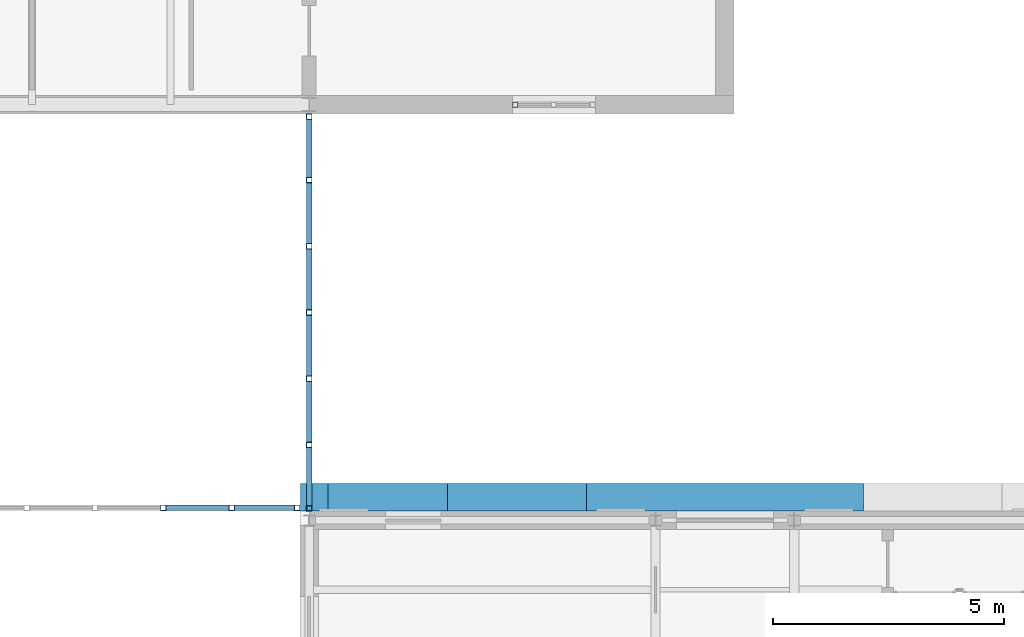
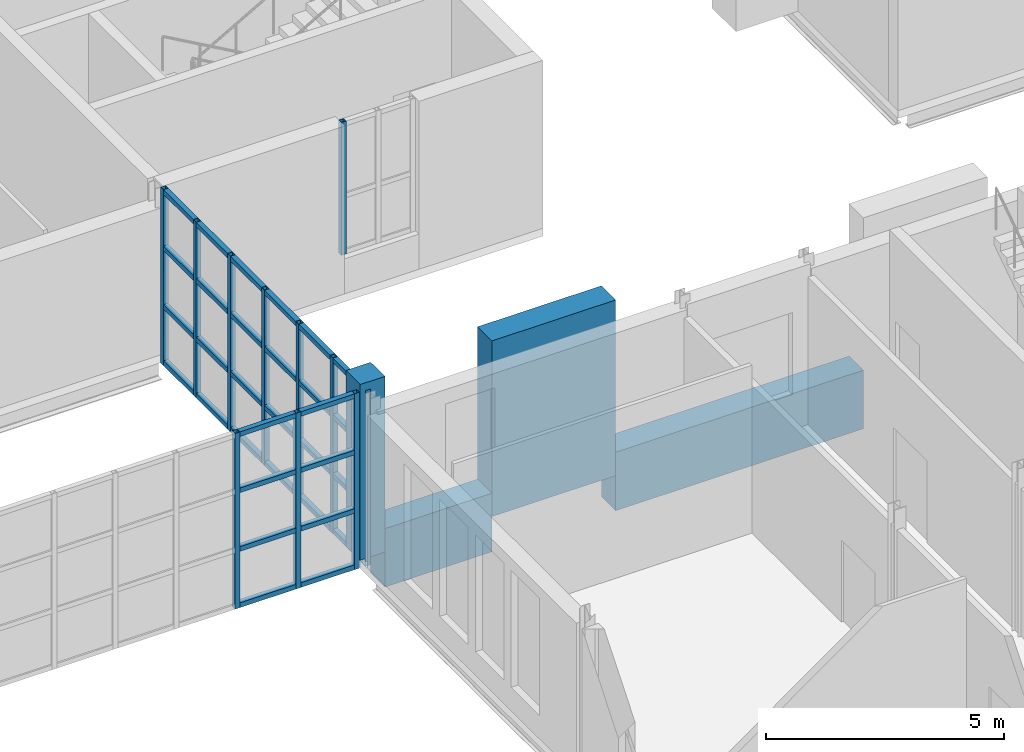
# One storey, part 50 of 131: 45 members, 2 beams, 3 elements without a shape of their own.
"""IFC4 building model written with IfcOpenShell, lengths in metres."""

from ifc_helpers import new_model, si_unit, direction, frame, origin, origin_2d, place, context, subcontext, project, spatial, rectangle, hollow_rectangle, extrude, material, material_profile, profile_set, type_object, element, aggregate, save


model = new_model("IFC4")

# Units and contexts
model_context = context("Model", 3, precision=1e-05, world=origin(), true_north=direction((0.0, 1.0)))
body_context = subcontext(model_context, "Body", "Model", "MODEL_VIEW")
ifc_project = project(units=[si_unit("LENGTHUNIT", "METRE"), si_unit("AREAUNIT", "SQUARE_METRE"), si_unit("VOLUMEUNIT", "CUBIC_METRE"), si_unit("PLANEANGLEUNIT", "RADIAN"), si_unit("MASSUNIT", "GRAM", prefix="KILO")], contexts=[model_context])

# Site, building, storey
site_placement = place(None, origin())
site = spatial("IfcSite", under=ifc_project, at=site_placement, CompositionType="ELEMENT")
building_placement = place(site_placement, origin())
building = spatial("IfcBuilding", under=site, at=building_placement, Name="Golden Quay Civic Hall", CompositionType="ELEMENT")
storey_placement = place(building_placement, frame((0.0, 0.0, 9.89990234375)))
storey = spatial("IfcBuildingStorey", under=building, at=storey_placement, Name="L02", CompositionType="ELEMENT", Elevation=9.89990234375)

# Curtain wall, members
ifc_material_1 = material(Name="Fire-resisting glass and steel", Category="steel")
curtain_wall_type_1 = type_object("IfcCurtainWallType", Name="Fire-resisting glazed curtain wall EI 120", PredefinedType="NOTDEFINED", material=ifc_material_1)
curtain_wall_1_placement = place(storey_placement, origin())
curtain_wall_1 = element("IfcCurtainWall", 1, at=curtain_wall_1_placement, inside=storey, type_object=curtain_wall_type_1, Name="CW3 curtain wall", PredefinedType="NOTDEFINED")
ifc_material_2 = material(Name="Steel S355", Category="steel")
ifc_material_profile_1 = material_profile(ifc_material_2, hollow_rectangle(XDim=0.1201171875, YDim=0.1201171875, WallThickness=0.008056640625, at=origin_2d()), Name="SHS 120x120x8")
ifc_profile_set_1 = profile_set([ifc_material_profile_1], Name="Steel S355")
member_type_1 = type_object("IfcMemberType", Name="Fire-resisting steel mullion SHS 120x120x8", PredefinedType="MULLION", material=ifc_profile_set_1)
member_1_placement = place(storey_placement, frame((95.844482421875, 54.27001953125, -0.199951171875), z_axis=(0.0, 0.0, 1.0), x_axis=(0.0, 1.0, 0.0)))
member_1 = element("IfcMember", 2, at=member_1_placement, type_object=member_type_1, Name="CW3 mullion 17", PredefinedType="MULLION", context=body_context, shape_type="SweptSolid", body=[
    extrude(hollow_rectangle(XDim=0.1201171875, YDim=0.1201171875, WallThickness=0.008056640625, at=origin_2d()), origin(), (0.0, 0.0, 1.0), 4.5),
])
member_2_placement = place(storey_placement, frame((97.322265625, 54.27001953125, -0.199951171875), z_axis=(0.0, 0.0, 1.0), x_axis=(0.0, 1.0, 0.0)))
member_2 = element("IfcMember", 3, at=member_2_placement, type_object=member_type_1, Name="CW3 mullion 18", PredefinedType="MULLION", context=body_context, shape_type="SweptSolid", body=[
    extrude(hollow_rectangle(XDim=0.1201171875, YDim=0.1201171875, WallThickness=0.008056640625, at=origin_2d()), origin(), (0.0, 0.0, 1.0), 4.5),
])
member_3_placement = place(storey_placement, frame((98.739990234375, 54.27001953125, -0.199951171875), z_axis=(0.0, 0.0, 1.0), x_axis=(0.0, 1.0, 0.0)))
member_3 = element("IfcMember", 4, at=member_3_placement, type_object=member_type_1, Name="CW3 mullion 19", PredefinedType="MULLION", context=body_context, shape_type="SweptSolid", body=[
    extrude(hollow_rectangle(XDim=0.1201171875, YDim=0.1201171875, WallThickness=0.008056640625, at=origin_2d()), origin(), (0.0, 0.0, 1.0), 4.5),
])

# Curtain wall, member
ifc_material_3 = material(Name="Fire-resisting glass and steel", Category="steel")
curtain_wall_type_2 = type_object("IfcCurtainWallType", Name="Fire-resisting glazed stair curtain wall EI 120", PredefinedType="NOTDEFINED", material=ifc_material_3)
curtain_wall_2_placement = place(storey_placement, origin())
curtain_wall_2 = element("IfcCurtainWall", 5, at=curtain_wall_2_placement, inside=storey, type_object=curtain_wall_type_2, Name="CW4 stair curtain wall", PredefinedType="NOTDEFINED")
ifc_material_4 = material(Name="Steel S355", Category="steel")
ifc_material_profile_2 = material_profile(ifc_material_4, hollow_rectangle(XDim=0.1201171875, YDim=0.1201171875, WallThickness=0.012451171875, at=origin_2d()), Name="SHS 120x120x12.5")
ifc_profile_set_2 = profile_set([ifc_material_profile_2], Name="Steel S355")
member_type_2 = type_object("IfcMemberType", Name="Fire-resisting steel stair mullion 120 x 120", PredefinedType="MULLION", material=ifc_profile_set_2)
member_4_placement = place(storey_placement, frame((103.4599609375, 63.0, 0.900146484375), z_axis=(0.0, 0.0, 1.0), x_axis=(0.0, 1.0, 0.0)))
member_4 = element("IfcMember", 6, at=member_4_placement, type_object=member_type_2, Name="CW4 mullion 1", PredefinedType="MULLION", context=body_context, shape_type="SweptSolid", body=[
    extrude(hollow_rectangle(XDim=0.1201171875, YDim=0.1201171875, WallThickness=0.012451171875, at=origin_2d()), origin(), (0.0, 0.0, 1.0), 3.39990234375),
])
aggregate(curtain_wall_2, [member_4])

# Member
ifc_material_5 = material(Name="Steel S355", Category="steel")
ifc_material_profile_3 = material_profile(ifc_material_5, hollow_rectangle(XDim=0.1201171875, YDim=0.1201171875, WallThickness=0.008056640625, at=origin_2d()), Name="SHS 120x120x8")
ifc_profile_set_3 = profile_set([ifc_material_profile_3], Name="Steel S355")
member_type_3 = type_object("IfcMemberType", Name="Fire-resisting steel transom SHS 120x120x8", PredefinedType="USERDEFINED", material=ifc_profile_set_3)
member_5_placement = place(storey_placement, frame((95.904541015625, 54.27001953125, -0.139892578125), z_axis=(1.0, 0.0, 0.0), x_axis=(0.0, 1.0, 0.0)))
member_5 = element("IfcMember", 7, at=member_5_placement, type_object=member_type_3, Name="CW3 transom 17.1", ObjectType="TRANSOM", PredefinedType="USERDEFINED", context=body_context, shape_type="SweptSolid", body=[
    extrude(hollow_rectangle(XDim=0.1201171875, YDim=0.1201171875, WallThickness=0.008056640625, at=origin_2d()), origin(), (0.0, 0.0, 1.0), 1.357666015625),
])

member_6_placement = place(storey_placement, frame((95.904541015625, 54.27001953125, 1.300048828125), z_axis=(1.0, 0.0, 0.0), x_axis=(0.0, 1.0, 0.0)))
member_6 = element("IfcMember", 8, at=member_6_placement, type_object=member_type_3, Name="CW3 transom 17.2", ObjectType="TRANSOM", PredefinedType="USERDEFINED", context=body_context, shape_type="SweptSolid", body=[
    extrude(hollow_rectangle(XDim=0.1201171875, YDim=0.1201171875, WallThickness=0.008056640625, at=origin_2d()), origin(), (0.0, 0.0, 1.0), 1.357666015625),
])

member_7_placement = place(storey_placement, frame((95.904541015625, 54.27001953125, 2.800048828125), z_axis=(1.0, 0.0, 0.0), x_axis=(0.0, 1.0, 0.0)))
member_7 = element("IfcMember", 9, at=member_7_placement, type_object=member_type_3, Name="CW3 transom 17.3", ObjectType="TRANSOM", PredefinedType="USERDEFINED", context=body_context, shape_type="SweptSolid", body=[
    extrude(hollow_rectangle(XDim=0.1201171875, YDim=0.1201171875, WallThickness=0.008056640625, at=origin_2d()), origin(), (0.0, 0.0, 1.0), 1.357666015625),
])

member_8_placement = place(storey_placement, frame((95.904541015625, 54.27001953125, 4.239990234375), z_axis=(1.0, 0.0, 0.0), x_axis=(0.0, 1.0, 0.0)))
member_8 = element("IfcMember", 10, at=member_8_placement, type_object=member_type_3, Name="CW3 transom 17.4", ObjectType="TRANSOM", PredefinedType="USERDEFINED", context=body_context, shape_type="SweptSolid", body=[
    extrude(hollow_rectangle(XDim=0.1201171875, YDim=0.1201171875, WallThickness=0.008056640625, at=origin_2d()), origin(), (0.0, 0.0, 1.0), 1.357666015625),
])

member_9_placement = place(storey_placement, frame((97.38232421875, 54.27001953125, -0.139892578125), z_axis=(1.0, 0.0, 0.0), x_axis=(0.0, 1.0, 0.0)))
member_9 = element("IfcMember", 11, at=member_9_placement, type_object=member_type_3, Name="CW3 transom 18.1", ObjectType="TRANSOM", PredefinedType="USERDEFINED", context=body_context, shape_type="SweptSolid", body=[
    extrude(hollow_rectangle(XDim=0.1201171875, YDim=0.1201171875, WallThickness=0.008056640625, at=origin_2d()), origin(), (0.0, 0.0, 1.0), 1.297607421875),
])

member_10_placement = place(storey_placement, frame((97.38232421875, 54.27001953125, 1.300048828125), z_axis=(1.0, 0.0, 0.0), x_axis=(0.0, 1.0, 0.0)))
member_10 = element("IfcMember", 12, at=member_10_placement, type_object=member_type_3, Name="CW3 transom 18.2", ObjectType="TRANSOM", PredefinedType="USERDEFINED", context=body_context, shape_type="SweptSolid", body=[
    extrude(hollow_rectangle(XDim=0.1201171875, YDim=0.1201171875, WallThickness=0.008056640625, at=origin_2d()), origin(), (0.0, 0.0, 1.0), 1.297607421875),
])

member_11_placement = place(storey_placement, frame((97.38232421875, 54.27001953125, 2.800048828125), z_axis=(1.0, 0.0, 0.0), x_axis=(0.0, 1.0, 0.0)))
member_11 = element("IfcMember", 13, at=member_11_placement, type_object=member_type_3, Name="CW3 transom 18.3", ObjectType="TRANSOM", PredefinedType="USERDEFINED", context=body_context, shape_type="SweptSolid", body=[
    extrude(hollow_rectangle(XDim=0.1201171875, YDim=0.1201171875, WallThickness=0.008056640625, at=origin_2d()), origin(), (0.0, 0.0, 1.0), 1.297607421875),
])

member_12_placement = place(storey_placement, frame((97.38232421875, 54.27001953125, 4.239990234375), z_axis=(1.0, 0.0, 0.0), x_axis=(0.0, 1.0, 0.0)))
member_12 = element("IfcMember", 14, at=member_12_placement, type_object=member_type_3, Name="CW3 transom 18.4", ObjectType="TRANSOM", PredefinedType="USERDEFINED", context=body_context, shape_type="SweptSolid", body=[
    extrude(hollow_rectangle(XDim=0.1201171875, YDim=0.1201171875, WallThickness=0.008056640625, at=origin_2d()), origin(), (0.0, 0.0, 1.0), 1.297607421875),
])

aggregate(curtain_wall_1, [member_1, member_2, member_3, member_5, member_6, member_7, member_8, member_9, member_10, member_11, member_12])

# Members
ifc_material_6 = material(Name="Concrete C40/50", Category="concrete")
ifc_material_profile_4 = material_profile(ifc_material_6, rectangle(XDim=3.0, YDim=0.60009765625, at=origin_2d()), Name="RC 3000x600")
ifc_profile_set_4 = profile_set([ifc_material_profile_4], Name="Concrete C40/50")
member_type_4 = type_object("IfcMemberType", Name="Precast concrete facade pier 3000 x 600", PredefinedType="POST", material=ifc_profile_set_4)
member_13_placement = place(storey_placement, frame((103.5, 54.5, 0.0), z_axis=(0.0, 0.0, 1.0), x_axis=(1.0, 0.0, 0.0)))
element("IfcMember", 15, at=member_13_placement, inside=storey, type_object=member_type_4, Name="Precast concrete facade pier 3000 x 600 L02 27", PredefinedType="POST", context=body_context, shape_type="SweptSolid", body=[
    extrude(rectangle(XDim=3.0, YDim=0.60009765625, at=origin_2d()), origin(), (0.0, 0.0, 1.0), 4.5),
])
ifc_material_7 = material(Name="Concrete C40/50", Category="concrete")
ifc_material_profile_5 = material_profile(ifc_material_7, rectangle(XDim=0.60009765625, YDim=0.60009765625, at=origin_2d()), Name="RC 600x600")
ifc_profile_set_5 = profile_set([ifc_material_profile_5], Name="Concrete C40/50")
member_type_5 = type_object("IfcMemberType", Name="Precast concrete facade post 600 x 600", PredefinedType="POST", material=ifc_profile_set_5)
member_14_placement = place(storey_placement, frame((99.110107421875, 54.5, 0.0), z_axis=(0.0, 0.0, 1.0), x_axis=(1.0, 0.0, 0.0)))
element("IfcMember", 16, at=member_14_placement, inside=storey, type_object=member_type_5, Name="Precast concrete facade post 600 x 600 L02 10", PredefinedType="POST", context=body_context, shape_type="SweptSolid", body=[
    extrude(rectangle(XDim=0.60009765625, YDim=0.60009765625, at=origin_2d()), origin(), (0.0, 0.0, 1.0), 4.5),
])

# Beams
ifc_material_8 = material(Name="Concrete C40/50", Category="concrete")
ifc_material_profile_6 = material_profile(ifc_material_8, rectangle(XDim=0.60009765625, YDim=1.5, at=origin_2d()), Name="RC 600x1500")
ifc_profile_set_6 = profile_set([ifc_material_profile_6], Name="Concrete C40/50")
beam_type = type_object("IfcBeamType", Name="Precast concrete spandrel beam 600 x 1500", PredefinedType="SPANDREL", material=ifc_profile_set_6)
beam_1_placement = place(storey_placement, frame((105.0, 54.5, -0.14990234375), z_axis=(1.0, 0.0, 0.0), x_axis=(0.0, 1.0, 0.0)))
element("IfcBeam", 17, at=beam_1_placement, inside=storey, type_object=beam_type, Name="Precast concrete spandrel beam 600 x 1500 L02 36", PredefinedType="SPANDREL", context=body_context, shape_type="SweptSolid", body=[
    extrude(rectangle(XDim=0.60009765625, YDim=1.5, at=origin_2d()), origin(), (0.0, 0.0, 1.0), 6.0),
])
beam_2_placement = place(storey_placement, frame((99.409912109375, 54.5, -0.14990234375), z_axis=(1.0, 0.0, 0.0), x_axis=(0.0, 1.0, 0.0)))
element("IfcBeam", 18, at=beam_2_placement, inside=storey, type_object=beam_type, Name="Precast concrete spandrel beam 600 x 1500 L02 37", PredefinedType="SPANDREL", context=body_context, shape_type="SweptSolid", body=[
    extrude(rectangle(XDim=0.60009765625, YDim=1.5, at=origin_2d()), origin(), (0.0, 0.0, 1.0), 2.590087890625),
])

# Curtain wall, members
ifc_material_9 = material(Name="Glass and aluminium", Category="aluminium")
curtain_wall_type_3 = type_object("IfcCurtainWallType", Name="Glazed curtain wall 1500 module", PredefinedType="NOTDEFINED", material=ifc_material_9)
curtain_wall_3_placement = place(storey_placement, origin())
curtain_wall_3 = element("IfcCurtainWall", 19, at=curtain_wall_3_placement, inside=storey, type_object=curtain_wall_type_3, Name="CW1 curtain wall", PredefinedType="NOTDEFINED")
ifc_material_10 = material(Name="Steel S355", Category="steel")
ifc_material_profile_7 = material_profile(ifc_material_10, hollow_rectangle(XDim=0.1201171875, YDim=0.1201171875, WallThickness=0.008056640625, at=origin_2d()), Name="SHS 120x120x8")
ifc_profile_set_7 = profile_set([ifc_material_profile_7], Name="Steel S355")
member_type_6 = type_object("IfcMemberType", Name="Steel mullion SHS 120x120x8", PredefinedType="MULLION", material=ifc_profile_set_7)
member_15_placement = place(storey_placement, frame((99.0, 54.260009765625, -0.199951171875), z_axis=(0.0, 0.0, 1.0), x_axis=(-1.0, 0.0, 0.0)))
member_15 = element("IfcMember", 20, at=member_15_placement, type_object=member_type_6, Name="CW1 mullion 1", PredefinedType="MULLION", context=body_context, shape_type="SweptSolid", body=[
    extrude(hollow_rectangle(XDim=0.1201171875, YDim=0.1201171875, WallThickness=0.008056640625, at=origin_2d()), origin(), (0.0, 0.0, 1.0), 4.5),
])
member_16_placement = place(storey_placement, frame((99.0, 55.63330078125, -0.199951171875), z_axis=(0.0, 0.0, 1.0), x_axis=(-1.0, 0.0, 0.0)))
member_16 = element("IfcMember", 21, at=member_16_placement, type_object=member_type_6, Name="CW1 mullion 2", PredefinedType="MULLION", context=body_context, shape_type="SweptSolid", body=[
    extrude(hollow_rectangle(XDim=0.1201171875, YDim=0.1201171875, WallThickness=0.008056640625, at=origin_2d()), origin(), (0.0, 0.0, 1.0), 4.5),
])
member_17_placement = place(storey_placement, frame((99.0, 57.066650390625, -0.199951171875), z_axis=(0.0, 0.0, 1.0), x_axis=(-1.0, 0.0, 0.0)))
member_17 = element("IfcMember", 22, at=member_17_placement, type_object=member_type_6, Name="CW1 mullion 3", PredefinedType="MULLION", context=body_context, shape_type="SweptSolid", body=[
    extrude(hollow_rectangle(XDim=0.1201171875, YDim=0.1201171875, WallThickness=0.008056640625, at=origin_2d()), origin(), (0.0, 0.0, 1.0), 4.5),
])
member_18_placement = place(storey_placement, frame((99.0, 58.5, -0.199951171875), z_axis=(0.0, 0.0, 1.0), x_axis=(-1.0, 0.0, 0.0)))
member_18 = element("IfcMember", 23, at=member_18_placement, type_object=member_type_6, Name="CW1 mullion 4", PredefinedType="MULLION", context=body_context, shape_type="SweptSolid", body=[
    extrude(hollow_rectangle(XDim=0.1201171875, YDim=0.1201171875, WallThickness=0.008056640625, at=origin_2d()), origin(), (0.0, 0.0, 1.0), 4.5),
])
member_19_placement = place(storey_placement, frame((99.0, 59.933349609375, -0.199951171875), z_axis=(0.0, 0.0, 1.0), x_axis=(-1.0, 0.0, 0.0)))
member_19 = element("IfcMember", 24, at=member_19_placement, type_object=member_type_6, Name="CW1 mullion 5", PredefinedType="MULLION", context=body_context, shape_type="SweptSolid", body=[
    extrude(hollow_rectangle(XDim=0.1201171875, YDim=0.1201171875, WallThickness=0.008056640625, at=origin_2d()), origin(), (0.0, 0.0, 1.0), 4.5),
])
member_20_placement = place(storey_placement, frame((99.0, 61.36669921875, -0.199951171875), z_axis=(0.0, 0.0, 1.0), x_axis=(-1.0, 0.0, 0.0)))
member_20 = element("IfcMember", 25, at=member_20_placement, type_object=member_type_6, Name="CW1 mullion 6", PredefinedType="MULLION", context=body_context, shape_type="SweptSolid", body=[
    extrude(hollow_rectangle(XDim=0.1201171875, YDim=0.1201171875, WallThickness=0.008056640625, at=origin_2d()), origin(), (0.0, 0.0, 1.0), 4.5),
])
member_21_placement = place(storey_placement, frame((99.0, 62.739990234375, -0.199951171875), z_axis=(0.0, 0.0, 1.0), x_axis=(-1.0, 0.0, 0.0)))
member_21 = element("IfcMember", 26, at=member_21_placement, type_object=member_type_6, Name="CW1 mullion 7", PredefinedType="MULLION", context=body_context, shape_type="SweptSolid", body=[
    extrude(hollow_rectangle(XDim=0.1201171875, YDim=0.1201171875, WallThickness=0.008056640625, at=origin_2d()), origin(), (0.0, 0.0, 1.0), 4.5),
])
ifc_material_11 = material(Name="Steel S355", Category="steel")
ifc_material_profile_8 = material_profile(ifc_material_11, hollow_rectangle(XDim=0.1201171875, YDim=0.1201171875, WallThickness=0.008056640625, at=origin_2d()), Name="SHS 120x120x8")
ifc_profile_set_8 = profile_set([ifc_material_profile_8], Name="Steel S355")
member_type_7 = type_object("IfcMemberType", Name="Steel transom SHS 120x120x8", PredefinedType="USERDEFINED", material=ifc_profile_set_8)
member_22_placement = place(storey_placement, frame((99.0, 54.320068359375, -0.139892578125), z_axis=(0.0, 1.0, 0.0), x_axis=(-1.0, 0.0, 0.0)))
member_22 = element("IfcMember", 27, at=member_22_placement, type_object=member_type_7, Name="CW1 transom 1.1", ObjectType="TRANSOM", PredefinedType="USERDEFINED", context=body_context, shape_type="SweptSolid", body=[
    extrude(hollow_rectangle(XDim=0.1201171875, YDim=0.1201171875, WallThickness=0.008056640625, at=origin_2d()), origin(), (0.0, 0.0, 1.0), 1.253173828125),
])
member_23_placement = place(storey_placement, frame((99.0, 54.320068359375, 1.300048828125), z_axis=(0.0, 1.0, 0.0), x_axis=(-1.0, 0.0, 0.0)))
member_23 = element("IfcMember", 28, at=member_23_placement, type_object=member_type_7, Name="CW1 transom 1.2", ObjectType="TRANSOM", PredefinedType="USERDEFINED", context=body_context, shape_type="SweptSolid", body=[
    extrude(hollow_rectangle(XDim=0.1201171875, YDim=0.1201171875, WallThickness=0.008056640625, at=origin_2d()), origin(), (0.0, 0.0, 1.0), 1.253173828125),
])
member_24_placement = place(storey_placement, frame((99.0, 54.320068359375, 2.800048828125), z_axis=(0.0, 1.0, 0.0), x_axis=(-1.0, 0.0, 0.0)))
member_24 = element("IfcMember", 29, at=member_24_placement, type_object=member_type_7, Name="CW1 transom 1.3", ObjectType="TRANSOM", PredefinedType="USERDEFINED", context=body_context, shape_type="SweptSolid", body=[
    extrude(hollow_rectangle(XDim=0.1201171875, YDim=0.1201171875, WallThickness=0.008056640625, at=origin_2d()), origin(), (0.0, 0.0, 1.0), 1.253173828125),
])
member_25_placement = place(storey_placement, frame((99.0, 54.320068359375, 4.239990234375), z_axis=(0.0, 1.0, 0.0), x_axis=(-1.0, 0.0, 0.0)))
member_25 = element("IfcMember", 30, at=member_25_placement, type_object=member_type_7, Name="CW1 transom 1.4", ObjectType="TRANSOM", PredefinedType="USERDEFINED", context=body_context, shape_type="SweptSolid", body=[
    extrude(hollow_rectangle(XDim=0.1201171875, YDim=0.1201171875, WallThickness=0.008056640625, at=origin_2d()), origin(), (0.0, 0.0, 1.0), 1.253173828125),
])
member_26_placement = place(storey_placement, frame((99.0, 55.693359375, -0.139892578125), z_axis=(0.0, 1.0, 0.0), x_axis=(-1.0, 0.0, 0.0)))
member_26 = element("IfcMember", 31, at=member_26_placement, type_object=member_type_7, Name="CW1 transom 2.1", ObjectType="TRANSOM", PredefinedType="USERDEFINED", context=body_context, shape_type="SweptSolid", body=[
    extrude(hollow_rectangle(XDim=0.1201171875, YDim=0.1201171875, WallThickness=0.008056640625, at=origin_2d()), origin(), (0.0, 0.0, 1.0), 1.313232421875),
])
member_27_placement = place(storey_placement, frame((99.0, 55.693359375, 1.300048828125), z_axis=(0.0, 1.0, 0.0), x_axis=(-1.0, 0.0, 0.0)))
member_27 = element("IfcMember", 32, at=member_27_placement, type_object=member_type_7, Name="CW1 transom 2.2", ObjectType="TRANSOM", PredefinedType="USERDEFINED", context=body_context, shape_type="SweptSolid", body=[
    extrude(hollow_rectangle(XDim=0.1201171875, YDim=0.1201171875, WallThickness=0.008056640625, at=origin_2d()), origin(), (0.0, 0.0, 1.0), 1.313232421875),
])
member_28_placement = place(storey_placement, frame((99.0, 55.693359375, 2.800048828125), z_axis=(0.0, 1.0, 0.0), x_axis=(-1.0, 0.0, 0.0)))
member_28 = element("IfcMember", 33, at=member_28_placement, type_object=member_type_7, Name="CW1 transom 2.3", ObjectType="TRANSOM", PredefinedType="USERDEFINED", context=body_context, shape_type="SweptSolid", body=[
    extrude(hollow_rectangle(XDim=0.1201171875, YDim=0.1201171875, WallThickness=0.008056640625, at=origin_2d()), origin(), (0.0, 0.0, 1.0), 1.313232421875),
])
member_29_placement = place(storey_placement, frame((99.0, 55.693359375, 4.239990234375), z_axis=(0.0, 1.0, 0.0), x_axis=(-1.0, 0.0, 0.0)))
member_29 = element("IfcMember", 34, at=member_29_placement, type_object=member_type_7, Name="CW1 transom 2.4", ObjectType="TRANSOM", PredefinedType="USERDEFINED", context=body_context, shape_type="SweptSolid", body=[
    extrude(hollow_rectangle(XDim=0.1201171875, YDim=0.1201171875, WallThickness=0.008056640625, at=origin_2d()), origin(), (0.0, 0.0, 1.0), 1.313232421875),
])
member_30_placement = place(storey_placement, frame((99.0, 57.126708984375, -0.139892578125), z_axis=(0.0, 1.0, 0.0), x_axis=(-1.0, 0.0, 0.0)))
member_30 = element("IfcMember", 35, at=member_30_placement, type_object=member_type_7, Name="CW1 transom 3.1", ObjectType="TRANSOM", PredefinedType="USERDEFINED", context=body_context, shape_type="SweptSolid", body=[
    extrude(hollow_rectangle(XDim=0.1201171875, YDim=0.1201171875, WallThickness=0.008056640625, at=origin_2d()), origin(), (0.0, 0.0, 1.0), 1.313232421875),
])
member_31_placement = place(storey_placement, frame((99.0, 57.126708984375, 1.300048828125), z_axis=(0.0, 1.0, 0.0), x_axis=(-1.0, 0.0, 0.0)))
member_31 = element("IfcMember", 36, at=member_31_placement, type_object=member_type_7, Name="CW1 transom 3.2", ObjectType="TRANSOM", PredefinedType="USERDEFINED", context=body_context, shape_type="SweptSolid", body=[
    extrude(hollow_rectangle(XDim=0.1201171875, YDim=0.1201171875, WallThickness=0.008056640625, at=origin_2d()), origin(), (0.0, 0.0, 1.0), 1.313232421875),
])
member_32_placement = place(storey_placement, frame((99.0, 57.126708984375, 2.800048828125), z_axis=(0.0, 1.0, 0.0), x_axis=(-1.0, 0.0, 0.0)))
member_32 = element("IfcMember", 37, at=member_32_placement, type_object=member_type_7, Name="CW1 transom 3.3", ObjectType="TRANSOM", PredefinedType="USERDEFINED", context=body_context, shape_type="SweptSolid", body=[
    extrude(hollow_rectangle(XDim=0.1201171875, YDim=0.1201171875, WallThickness=0.008056640625, at=origin_2d()), origin(), (0.0, 0.0, 1.0), 1.313232421875),
])
member_33_placement = place(storey_placement, frame((99.0, 57.126708984375, 4.239990234375), z_axis=(0.0, 1.0, 0.0), x_axis=(-1.0, 0.0, 0.0)))
member_33 = element("IfcMember", 38, at=member_33_placement, type_object=member_type_7, Name="CW1 transom 3.4", ObjectType="TRANSOM", PredefinedType="USERDEFINED", context=body_context, shape_type="SweptSolid", body=[
    extrude(hollow_rectangle(XDim=0.1201171875, YDim=0.1201171875, WallThickness=0.008056640625, at=origin_2d()), origin(), (0.0, 0.0, 1.0), 1.313232421875),
])
member_34_placement = place(storey_placement, frame((99.0, 58.56005859375, -0.139892578125), z_axis=(0.0, 1.0, 0.0), x_axis=(-1.0, 0.0, 0.0)))
member_34 = element("IfcMember", 39, at=member_34_placement, type_object=member_type_7, Name="CW1 transom 4.1", ObjectType="TRANSOM", PredefinedType="USERDEFINED", context=body_context, shape_type="SweptSolid", body=[
    extrude(hollow_rectangle(XDim=0.1201171875, YDim=0.1201171875, WallThickness=0.008056640625, at=origin_2d()), origin(), (0.0, 0.0, 1.0), 1.313232421875),
])
member_35_placement = place(storey_placement, frame((99.0, 58.56005859375, 1.300048828125), z_axis=(0.0, 1.0, 0.0), x_axis=(-1.0, 0.0, 0.0)))
member_35 = element("IfcMember", 40, at=member_35_placement, type_object=member_type_7, Name="CW1 transom 4.2", ObjectType="TRANSOM", PredefinedType="USERDEFINED", context=body_context, shape_type="SweptSolid", body=[
    extrude(hollow_rectangle(XDim=0.1201171875, YDim=0.1201171875, WallThickness=0.008056640625, at=origin_2d()), origin(), (0.0, 0.0, 1.0), 1.313232421875),
])
member_36_placement = place(storey_placement, frame((99.0, 58.56005859375, 2.800048828125), z_axis=(0.0, 1.0, 0.0), x_axis=(-1.0, 0.0, 0.0)))
member_36 = element("IfcMember", 41, at=member_36_placement, type_object=member_type_7, Name="CW1 transom 4.3", ObjectType="TRANSOM", PredefinedType="USERDEFINED", context=body_context, shape_type="SweptSolid", body=[
    extrude(hollow_rectangle(XDim=0.1201171875, YDim=0.1201171875, WallThickness=0.008056640625, at=origin_2d()), origin(), (0.0, 0.0, 1.0), 1.313232421875),
])
member_37_placement = place(storey_placement, frame((99.0, 58.56005859375, 4.239990234375), z_axis=(0.0, 1.0, 0.0), x_axis=(-1.0, 0.0, 0.0)))
member_37 = element("IfcMember", 42, at=member_37_placement, type_object=member_type_7, Name="CW1 transom 4.4", ObjectType="TRANSOM", PredefinedType="USERDEFINED", context=body_context, shape_type="SweptSolid", body=[
    extrude(hollow_rectangle(XDim=0.1201171875, YDim=0.1201171875, WallThickness=0.008056640625, at=origin_2d()), origin(), (0.0, 0.0, 1.0), 1.313232421875),
])
member_38_placement = place(storey_placement, frame((99.0, 59.993408203125, -0.139892578125), z_axis=(0.0, 1.0, 0.0), x_axis=(-1.0, 0.0, 0.0)))
member_38 = element("IfcMember", 43, at=member_38_placement, type_object=member_type_7, Name="CW1 transom 5.1", ObjectType="TRANSOM", PredefinedType="USERDEFINED", context=body_context, shape_type="SweptSolid", body=[
    extrude(hollow_rectangle(XDim=0.1201171875, YDim=0.1201171875, WallThickness=0.008056640625, at=origin_2d()), origin(), (0.0, 0.0, 1.0), 1.313232421875),
])
member_39_placement = place(storey_placement, frame((99.0, 59.993408203125, 1.300048828125), z_axis=(0.0, 1.0, 0.0), x_axis=(-1.0, 0.0, 0.0)))
member_39 = element("IfcMember", 44, at=member_39_placement, type_object=member_type_7, Name="CW1 transom 5.2", ObjectType="TRANSOM", PredefinedType="USERDEFINED", context=body_context, shape_type="SweptSolid", body=[
    extrude(hollow_rectangle(XDim=0.1201171875, YDim=0.1201171875, WallThickness=0.008056640625, at=origin_2d()), origin(), (0.0, 0.0, 1.0), 1.313232421875),
])
member_40_placement = place(storey_placement, frame((99.0, 59.993408203125, 2.800048828125), z_axis=(0.0, 1.0, 0.0), x_axis=(-1.0, 0.0, 0.0)))
member_40 = element("IfcMember", 45, at=member_40_placement, type_object=member_type_7, Name="CW1 transom 5.3", ObjectType="TRANSOM", PredefinedType="USERDEFINED", context=body_context, shape_type="SweptSolid", body=[
    extrude(hollow_rectangle(XDim=0.1201171875, YDim=0.1201171875, WallThickness=0.008056640625, at=origin_2d()), origin(), (0.0, 0.0, 1.0), 1.313232421875),
])
member_41_placement = place(storey_placement, frame((99.0, 59.993408203125, 4.239990234375), z_axis=(0.0, 1.0, 0.0), x_axis=(-1.0, 0.0, 0.0)))
member_41 = element("IfcMember", 46, at=member_41_placement, type_object=member_type_7, Name="CW1 transom 5.4", ObjectType="TRANSOM", PredefinedType="USERDEFINED", context=body_context, shape_type="SweptSolid", body=[
    extrude(hollow_rectangle(XDim=0.1201171875, YDim=0.1201171875, WallThickness=0.008056640625, at=origin_2d()), origin(), (0.0, 0.0, 1.0), 1.313232421875),
])
member_42_placement = place(storey_placement, frame((99.0, 61.4267578125, -0.139892578125), z_axis=(0.0, 1.0, 0.0), x_axis=(-1.0, 0.0, 0.0)))
member_42 = element("IfcMember", 47, at=member_42_placement, type_object=member_type_7, Name="CW1 transom 6.1", ObjectType="TRANSOM", PredefinedType="USERDEFINED", context=body_context, shape_type="SweptSolid", body=[
    extrude(hollow_rectangle(XDim=0.1201171875, YDim=0.1201171875, WallThickness=0.008056640625, at=origin_2d()), origin(), (0.0, 0.0, 1.0), 1.253173828125),
])
member_43_placement = place(storey_placement, frame((99.0, 61.4267578125, 1.300048828125), z_axis=(0.0, 1.0, 0.0), x_axis=(-1.0, 0.0, 0.0)))
member_43 = element("IfcMember", 48, at=member_43_placement, type_object=member_type_7, Name="CW1 transom 6.2", ObjectType="TRANSOM", PredefinedType="USERDEFINED", context=body_context, shape_type="SweptSolid", body=[
    extrude(hollow_rectangle(XDim=0.1201171875, YDim=0.1201171875, WallThickness=0.008056640625, at=origin_2d()), origin(), (0.0, 0.0, 1.0), 1.253173828125),
])
member_44_placement = place(storey_placement, frame((99.0, 61.4267578125, 2.800048828125), z_axis=(0.0, 1.0, 0.0), x_axis=(-1.0, 0.0, 0.0)))
member_44 = element("IfcMember", 49, at=member_44_placement, type_object=member_type_7, Name="CW1 transom 6.3", ObjectType="TRANSOM", PredefinedType="USERDEFINED", context=body_context, shape_type="SweptSolid", body=[
    extrude(hollow_rectangle(XDim=0.1201171875, YDim=0.1201171875, WallThickness=0.008056640625, at=origin_2d()), origin(), (0.0, 0.0, 1.0), 1.253173828125),
])
member_45_placement = place(storey_placement, frame((99.0, 61.4267578125, 4.239990234375), z_axis=(0.0, 1.0, 0.0), x_axis=(-1.0, 0.0, 0.0)))
member_45 = element("IfcMember", 50, at=member_45_placement, type_object=member_type_7, Name="CW1 transom 6.4", ObjectType="TRANSOM", PredefinedType="USERDEFINED", context=body_context, shape_type="SweptSolid", body=[
    extrude(hollow_rectangle(XDim=0.1201171875, YDim=0.1201171875, WallThickness=0.008056640625, at=origin_2d()), origin(), (0.0, 0.0, 1.0), 1.253173828125),
])
aggregate(curtain_wall_3, [member_15, member_16, member_17, member_18, member_19, member_20, member_21, member_22, member_23, member_24, member_25, member_26, member_27, member_28, member_29, member_30, member_31, member_32, member_33, member_34, member_35, member_36, member_37, member_38, member_39, member_40, member_41, member_42, member_43, member_44, member_45])

save(model, "model.ifc")
